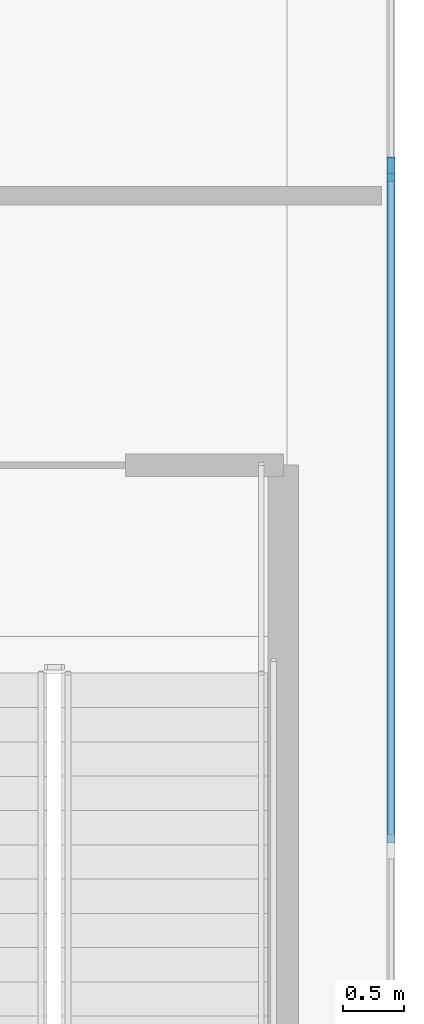
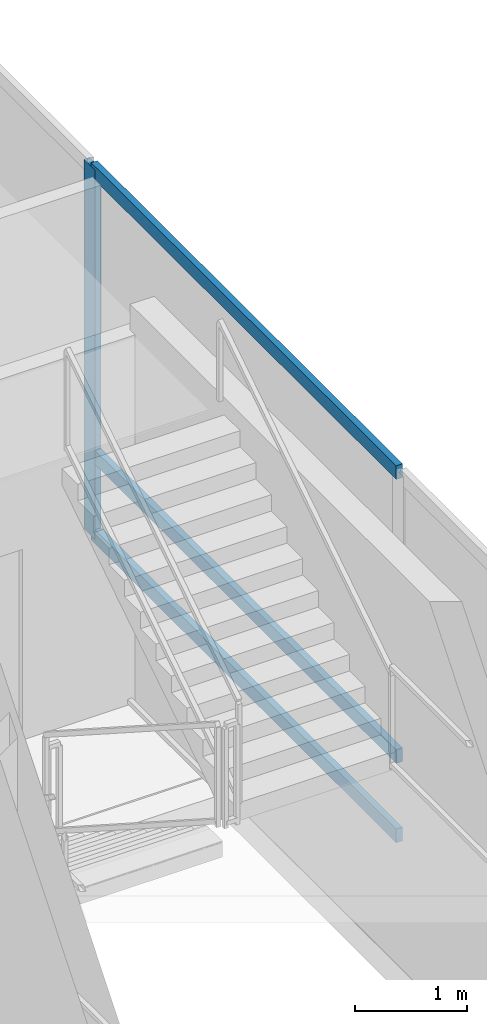
# One storey, part 6 of 18: 4 members, 1 element without a shape of its own.
"""IFC4 building model written with IfcOpenShell, lengths in metres."""

from ifc_helpers import new_model, si_unit, direction, frame, origin, origin_2d, place, context, subcontext, project, spatial, rectangle, extrude, source, transform, mapped, material, layer, layer_set, material_profile, profile_set, type_object, element, aggregate, save


model = new_model("IFC4")

# Units and contexts
model_context = context("Model", 3, precision=1e-05, world=origin(), true_north=direction((0.0, 1.0)))
body_context = subcontext(model_context, "Body", "Model", "MODEL_VIEW")
ifc_project = project(units=[si_unit("LENGTHUNIT", "METRE"), si_unit("AREAUNIT", "SQUARE_METRE"), si_unit("VOLUMEUNIT", "CUBIC_METRE"), si_unit("PLANEANGLEUNIT", "RADIAN"), si_unit("MASSUNIT", "GRAM", prefix="KILO")], contexts=[model_context])

# Site, building, storey
site_placement = place(None, origin())
site = spatial("IfcSite", under=ifc_project, at=site_placement, CompositionType="ELEMENT")
building_placement = place(site_placement, origin())
building = spatial("IfcBuilding", under=site, at=building_placement, Name="Brelvock Crest Care Tower", CompositionType="ELEMENT")
storey_placement = place(building_placement, frame((0.0, 0.0, 9.719970703125)))
storey = spatial("IfcBuildingStorey", under=building, at=storey_placement, Name="L02", CompositionType="ELEMENT", Elevation=9.719970703125)

# Curtain wall, members
ifc_material_1 = material(Name="Dark Glass Double Glazed Low-E", Category="glass")
ifc_layer = layer(ifc_material_1, 0.179931640625, Name="CWS-1")
ifc_layer_set = layer_set([ifc_layer], Name="Dark Glass Double Glazed Low-E")
curtain_wall_type = type_object("IfcCurtainWallType", Name="CWS-1", PredefinedType="NOTDEFINED", material=ifc_layer_set)
curtain_wall_placement = place(storey_placement, origin())
curtain_wall = element("IfcCurtainWall", 1, at=curtain_wall_placement, inside=storey, type_object=curtain_wall_type, Name="L02 Curtain Wall E14", PredefinedType="NOTDEFINED")
ifc_material_2 = material(Name="Aluminium 6063-T6", Category="aluminium")
ifc_material_profile_1 = material_profile(ifc_material_2, rectangle(XDim=0.06494140625, YDim=0.199951171875, at=origin_2d()), Name="ALU65x200")
ifc_profile_set_1 = profile_set([ifc_material_profile_1], Name="Aluminium 6063-T6")
member_type_1 = type_object("IfcMemberType", Name="CWM-1", PredefinedType="MULLION", material=ifc_profile_set_1)
shared_shape_1 = source(origin(), body_context, "Body", "SweptSolid", [
    extrude(rectangle(XDim=0.06494140625, YDim=0.199951171875, at=origin_2d()), origin(), (0.0, 0.0, 1.0), 4.0400390625),
])
member_1_placement = place(storey_placement, frame((65.0, 33.2666015625, 0.0), z_axis=(0.0, 0.0, 1.0), x_axis=(1.0, 0.0, 0.0)))
member_1 = element("IfcMember", 2, at=member_1_placement, type_object=member_type_1, Name="CW-1 mullion 5", PredefinedType="MULLION", context=body_context, shape_type="MappedRepresentation", body=[
    mapped(shared_shape_1, transform((0.0, 0.0, 0.0), x_axis=(1.0, 0.0, 0.0), y_axis=(0.0, 1.0, 0.0), z_axis=(0.0, 0.0, 1.0), scale=1.0)),
])
ifc_material_profile_2 = material_profile(ifc_material_2, rectangle(XDim=0.06494140625, YDim=0.14990234375, at=origin_2d()), Name="ALU65x150")
ifc_profile_set_2 = profile_set([ifc_material_profile_2], Name="Aluminium 6063-T6")
member_type_2 = type_object("IfcMemberType", Name="CWT-1", PredefinedType="USERDEFINED", material=ifc_profile_set_2)
shared_shape_2 = source(origin(), body_context, "Body", "SweptSolid", [
    extrude(rectangle(XDim=0.06494140625, YDim=0.14990234375, at=origin_2d()), origin(), (0.0, 0.0, 1.0), 5.46826171875),
])
member_2_placement = place(storey_placement, frame((65.0, 33.234130859375, 0.032470703125), z_axis=(0.0, -1.0, 0.0), x_axis=(1.0, 0.0, 0.0)))
member_2 = element("IfcMember", 3, at=member_2_placement, type_object=member_type_2, Name="CW-1 transom 5.1", ObjectType="TRANSOM", PredefinedType="USERDEFINED", context=body_context, shape_type="MappedRepresentation", body=[
    mapped(shared_shape_2, transform((0.0, 0.0, 0.0), x_axis=(1.0, 0.0, 0.0), y_axis=(0.0, 1.0, 0.0), z_axis=(0.0, 0.0, 1.0), scale=1.0)),
])
member_3_placement = place(storey_placement, frame((65.0, 33.234130859375, 0.900146484375), z_axis=(0.0, -1.0, 0.0), x_axis=(1.0, 0.0, 0.0)))
member_3 = element("IfcMember", 4, at=member_3_placement, type_object=member_type_2, Name="CW-1 transom 5.2", ObjectType="TRANSOM", PredefinedType="USERDEFINED", context=body_context, shape_type="MappedRepresentation", body=[
    mapped(shared_shape_2, transform((0.0, 0.0, 0.0), x_axis=(1.0, 0.0, 0.0), y_axis=(0.0, 1.0, 0.0), z_axis=(0.0, 0.0, 1.0), scale=1.0)),
])
member_4_placement = place(storey_placement, frame((65.0, 33.234130859375, 4.007568359375), z_axis=(0.0, -1.0, 0.0), x_axis=(1.0, 0.0, 0.0)))
member_4 = element("IfcMember", 5, at=member_4_placement, type_object=member_type_2, Name="CW-1 transom 5.3", ObjectType="TRANSOM", PredefinedType="USERDEFINED", context=body_context, shape_type="MappedRepresentation", body=[
    mapped(shared_shape_2, transform((0.0, 0.0, 0.0), x_axis=(1.0, 0.0, 0.0), y_axis=(0.0, 1.0, 0.0), z_axis=(0.0, 0.0, 1.0), scale=1.0)),
])
aggregate(curtain_wall, [member_1, member_2, member_3, member_4])

save(model, "model.ifc")
